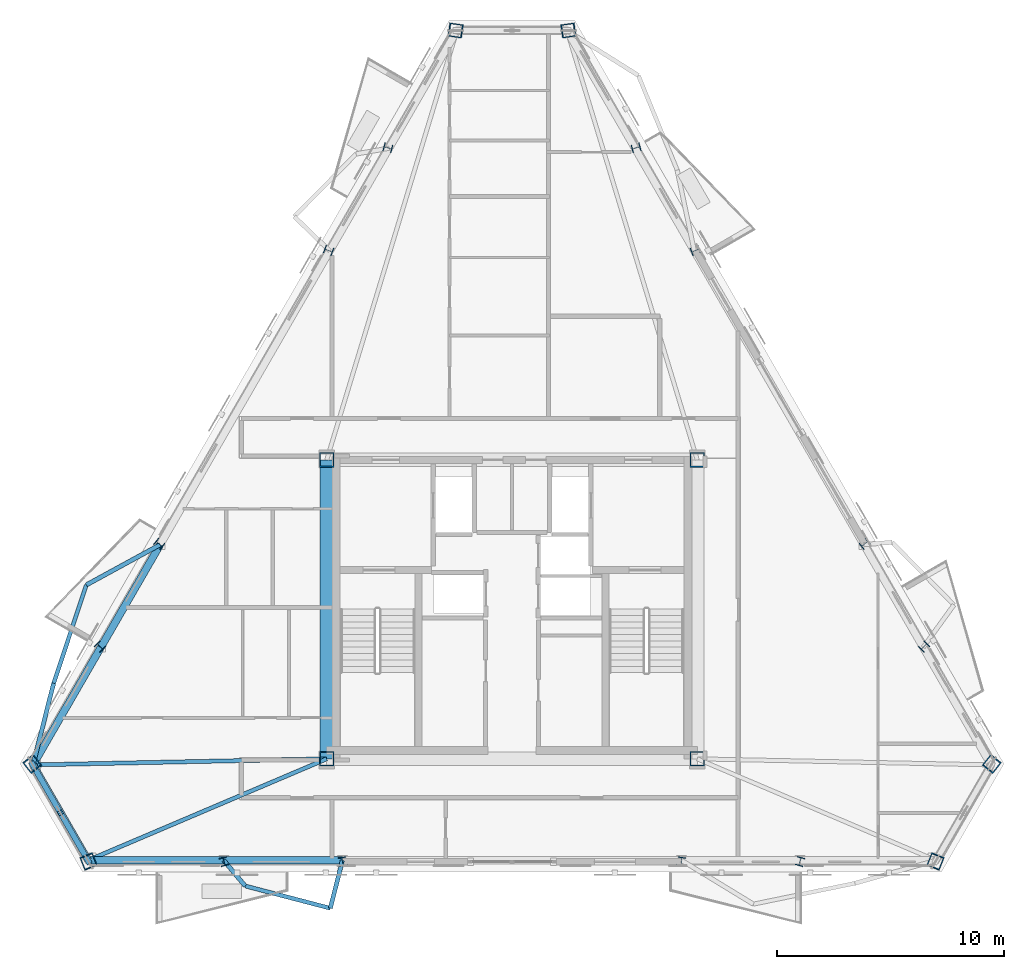
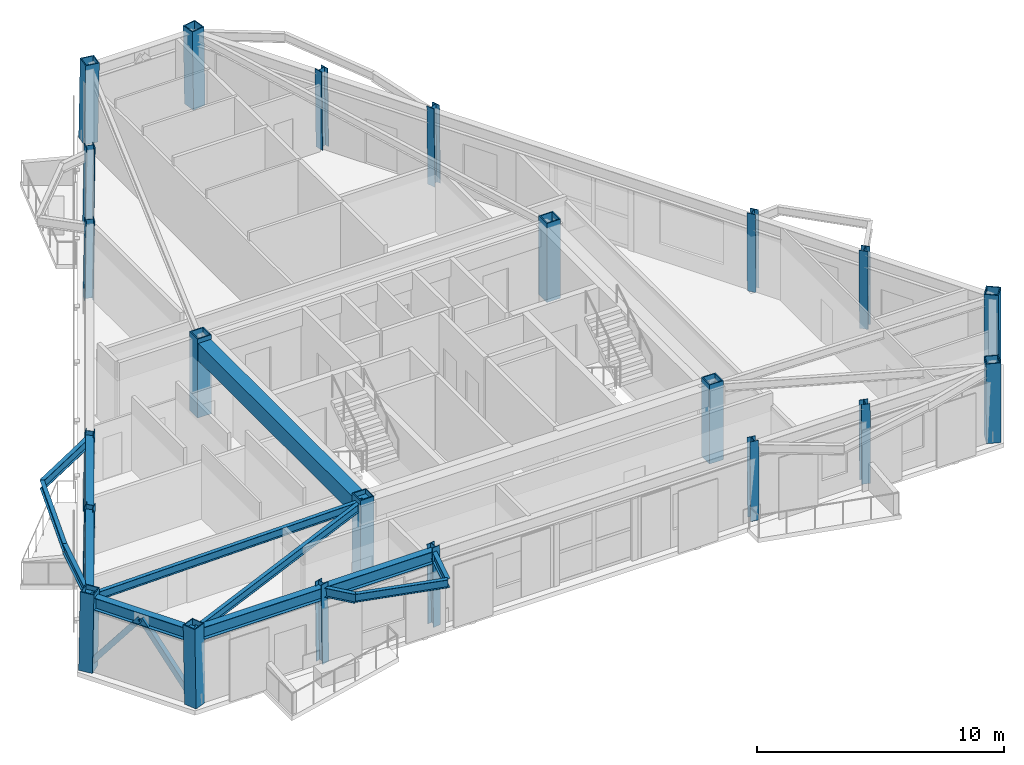
# One storey, part 1 of 15: 22 columns, 14 beams, 2 members.
"""IFC4 building model written with IfcOpenShell, lengths in metres."""

from ifc_helpers import new_model, si_unit, direction, frame, origin, origin_2d, place, context, subcontext, project, spatial, rectangle, hollow_rectangle, i_section, extrude, material, material_profile, profile_set, type_object, element, save


model = new_model("IFC4")

# Units and contexts
model_context = context("Model", 3, precision=1e-05, world=origin(), true_north=direction((0.0, 1.0)))
body_context = subcontext(model_context, "Body", "Model", "MODEL_VIEW")
ifc_project = project(units=[si_unit("LENGTHUNIT", "METRE"), si_unit("AREAUNIT", "SQUARE_METRE"), si_unit("VOLUMEUNIT", "CUBIC_METRE"), si_unit("PLANEANGLEUNIT", "RADIAN"), si_unit("MASSUNIT", "GRAM", prefix="KILO")], contexts=[model_context])

# Site, building, storey
site_placement = place(None, origin())
site = spatial("IfcSite", under=ifc_project, at=site_placement, CompositionType="ELEMENT")
building_placement = place(site_placement, origin())
building = spatial("IfcBuilding", under=site, at=building_placement, Name="Oramaril Tower", CompositionType="ELEMENT")
storey_placement = place(building_placement, frame((0.0, 0.0, 265.5)))
storey = spatial("IfcBuildingStorey", under=building, at=storey_placement, Name="L70", CompositionType="ELEMENT", Elevation=265.5)

# Columns
ifc_material_1 = material(Name="Steel ASTM A572 Gr 50", Category="steel")
ifc_material_profile_1 = material_profile(ifc_material_1, hollow_rectangle(XDim=0.64990234375, YDim=0.64990234375, WallThickness=0.050048828125, at=origin_2d()), Name="BOX650X650X50")
ifc_profile_set_1 = profile_set([ifc_material_profile_1], Name="Steel ASTM A572 Gr 50")
column_type_1 = type_object("IfcColumnType", Name="CT-CC5", PredefinedType="COLUMN", material=ifc_profile_set_1)
for number, where, z_axis, x_axis, name in (
    (1, (29.35009765625, 11.0, 0.0), (0.0, 0.0, 1.0), (1.0, 0.0, 0.0), "L70 Core Column CC-1"),
    (2, (45.64990234375, 11.0, 0.0), (0.0, 0.0, 1.0), (1.0, 0.0, 0.0), "L70 Core Column CC-2"),
    (3, (45.64990234375, 24.14990234375, 0.0), (0.0, 0.0, 1.0), (1.0, 0.0, 0.0), "L70 Core Column CC-3"),
    (4, (29.35009765625, 24.14990234375, 0.0), (0.0, 0.0, 1.0), (1.0, 0.0, 0.0), "L70 Core Column CC-4"),
):
    element("IfcColumn", number, at=place(storey_placement, frame(where, z_axis=z_axis, x_axis=x_axis)), inside=storey, type_object=column_type_1, Name=name, PredefinedType="COLUMN", context=body_context, shape_type="SweptSolid", body=[
        extrude(hollow_rectangle(XDim=0.64990234375, YDim=0.64990234375, WallThickness=0.050048828125, at=origin_2d()), origin(), (0.0, 0.0, 1.0), 3.89990234375),
    ])
ifc_material_2 = material(Name="Steel ASTM A572 Gr 50", Category="steel")
ifc_material_profile_2 = material_profile(ifc_material_2, hollow_rectangle(XDim=0.60009765625, YDim=0.60009765625, WallThickness=0.044921875, at=origin_2d()), Name="BOX600X600X45")
ifc_profile_set_2 = profile_set([ifc_material_profile_2], Name="Steel ASTM A572 Gr 50")
column_type_2 = type_object("IfcColumnType", Name="CT-TC5", PredefinedType="COLUMN", material=ifc_profile_set_2)
for number, where, z_axis, x_axis, name in (
    (5, (16.38818359375, 10.78369140625, 0.00439453125), (0.010288460929, -0.012986045197, 0.999862745682), (0.783815425507, 0.620993863687, 0.0), "L70 Tube Column TC-01"),
    (6, (18.8759765625, 6.474853515625, 0.00439453125), (-0.006147984154, 0.015369960385, 0.999862973916), (-0.928476690885, -0.371390676354, 0.0), "L70 Tube Column TC-02"),
    (7, (56.1240234375, 6.474853515625, 0.00439453125), (0.006147984154, 0.015369960385, 0.999862973916), (-0.928476690885, 0.371390676354, 0.0), "L70 Tube Column TC-03"),
    (8, (58.61181640625, 10.78369140625, 0.00439453125), (-0.010288460929, -0.012986045197, 0.999862745682), (0.783815425507, -0.620993863687, 0.0), "L70 Tube Column TC-04"),
    (9, (39.98779296875, 43.04150390625, 0.00439453125), (-0.016436432586, -0.00238391007, 0.999862070816), (0.143536305261, -0.989645052063, 0.0), "L70 Tube Column TC-05"),
    (10, (35.01220703125, 43.04150390625, 0.00439453125), (0.016436432586, -0.00238391007, 0.999862070816), (0.143536305261, 0.989645052063, 0.0), "L70 Tube Column TC-06"),
):
    element("IfcColumn", number, at=place(storey_placement, frame(where, z_axis=z_axis, x_axis=x_axis)), inside=storey, type_object=column_type_2, Name=name, PredefinedType="COLUMN", context=body_context, shape_type="SweptSolid", body=[
        extrude(hollow_rectangle(XDim=0.60009765625, YDim=0.60009765625, WallThickness=0.044921875, at=origin_2d()), origin(), (0.0, 0.0, 1.0), 3.8916015625),
    ])
ifc_material_3 = material(Name="Steel ASTM A572 Gr 50", Category="steel")
ifc_material_profile_3 = material_profile(ifc_material_3, i_section(OverallWidth=0.373046875, OverallDepth=0.373046875, WebThickness=0.016357421875, FlangeThickness=0.026123046875, at=origin_2d()), Name="W14X132")
ifc_profile_set_3 = profile_set([ifc_material_profile_3], Name="Steel ASTM A572 Gr 50")
column_type_3 = type_object("IfcColumnType", Name="CT-TF5", PredefinedType="COLUMN", material=ifc_profile_set_3)
for number, where, z_axis, x_axis, name in (
    (11, (24.835693359375, 6.474853515625, 0.00439453125), (-0.004203255964, 0.015370115091, 0.999873038041), (-0.964581880299, -0.263783616245, 0.0), "L70 Tube Column TC-07"),
    (12, (30.05029296875, 6.474853515625, 0.00439453125), (-0.002446685672, 0.015370204862, 0.999878877931), (-0.987566087596, -0.157204397617, 0.0), "L70 Tube Column TC-08"),
    (13, (44.94970703125, 6.474853515625, 0.00439453125), (0.002446685672, 0.015370204862, 0.999878877931), (-0.987566087596, 0.157204397617, 0.0), "L70 Tube Column TC-09"),
    (14, (50.164306640625, 6.474853515625, 0.00439453125), (0.004203255964, 0.015370115091, 0.999873038041), (-0.964581880299, 0.263783616245, 0.0), "L70 Tube Column TC-10"),
    (15, (55.6318359375, 15.94482421875, 0.00439453125), (-0.011229595904, -0.011292331077, 0.999873181676), (0.709073687079, -0.705134388817, 0.0), "L70 Tube Column TC-11"),
    (16, (53.024658203125, 20.4609375, 0.00439453125), (-0.012170682627, -0.009786734483, 0.999878039719), (0.626652594722, -0.779298739591, 0.0), "L70 Tube Column TC-12"),
    (17, (45.574951171875, 33.3642578125, 0.00439453125), (-0.014554637272, -0.005583459988, 0.999878486371), (0.358169919381, -0.933656419059, 0.0), "L70 Tube Column TC-13"),
    (18, (42.967529296875, 37.88037109375, 0.00439453125), (-0.015370119114, -0.004140521884, 0.999873299732), (0.260114807863, -0.965577695854, 0.0), "L70 Tube Column TC-14"),
    (19, (32.032470703125, 37.88037109375, 0.00439453125), (0.015370119114, -0.004140521884, 0.999873299732), (0.260114807863, 0.965577695854, 0.0), "L70 Tube Column TC-15"),
    (20, (29.425048828125, 33.3642578125, 0.00439453125), (0.014554637272, -0.005583459988, 0.999878486371), (0.358169919381, 0.933656419059, 0.0), "L70 Tube Column TC-16"),
    (21, (21.975341796875, 20.4609375, 0.00439453125), (0.012170682627, -0.009786734483, 0.999878039719), (0.626652594722, 0.779298739591, 0.0), "L70 Tube Column TC-17"),
    (22, (19.3681640625, 15.94482421875, 0.00439453125), (0.011229595904, -0.011292331077, 0.999873181676), (0.709073687079, 0.705134388817, 0.0), "L70 Tube Column TC-18"),
):
    element("IfcColumn", number, at=place(storey_placement, frame(where, z_axis=z_axis, x_axis=x_axis)), inside=storey, type_object=column_type_3, Name=name, PredefinedType="COLUMN", context=body_context, shape_type="SweptSolid", body=[
        extrude(i_section(OverallWidth=0.373046875, OverallDepth=0.373046875, WebThickness=0.016357421875, FlangeThickness=0.026123046875, at=origin_2d()), origin(), (0.0, 0.0, 1.0), 3.8916015625),
    ])

# Beams
ifc_material_4 = material(Name="Steel ASTM A572 Gr 50", Category="steel")
ifc_material_profile_4 = material_profile(ifc_material_4, i_section(OverallWidth=0.19091796875, OverallDepth=0.45703125, WebThickness=0.009033203125, FlangeThickness=0.014404296875, at=origin_2d()), Name="W18X50")
ifc_profile_set_4 = profile_set([ifc_material_profile_4], Name="Steel ASTM A572 Gr 50")
beam_type_1 = type_object("IfcBeamType", Name="BT-BB1", PredefinedType="BEAM", material=ifc_profile_set_4)
beam_1_placement = place(storey_placement, frame((24.8193359375, 6.53466796875, 3.451416015625), z_axis=(0.642238304801, -0.766505029238, 0.0), x_axis=(0.766505029238, 0.642238304801, 0.0)))
element("IfcBeam", 23, at=beam_1_placement, inside=storey, type_object=beam_type_1, Name="L70 Balcony Column-Framed Cantilever 01.1", PredefinedType="BEAM", context=body_context, shape_type="SweptSolid", body=[
    extrude(i_section(OverallWidth=0.19091796875, OverallDepth=0.45703125, WebThickness=0.009033203125, FlangeThickness=0.014404296875, at=origin_2d()), origin(), (0.0, 0.0, 1.0), 1.471435546875),
])
beam_2_placement = place(storey_placement, frame((30.040771484375, 6.53466796875, 3.451416015625), z_axis=(-0.244807321253, -0.969571748485, 0.0), x_axis=(0.969571748485, -0.244807321253, 0.0)))
element("IfcBeam", 24, at=beam_2_placement, inside=storey, type_object=beam_type_1, Name="L70 Balcony Column-Framed Cantilever 01.2", PredefinedType="BEAM", context=body_context, shape_type="SweptSolid", body=[
    extrude(i_section(OverallWidth=0.19091796875, OverallDepth=0.45703125, WebThickness=0.009033203125, FlangeThickness=0.014404296875, at=origin_2d()), origin(), (0.0, 0.0, 1.0), 2.174072265625),
])
beam_3_placement = place(storey_placement, frame((22.022705078125, 20.4228515625, 3.451416015625), z_axis=(-0.877761893143, -0.479097128927, 0.0), x_axis=(0.479097128927, -0.877761893143, 0.0)))
element("IfcBeam", 25, at=beam_3_placement, inside=storey, type_object=beam_type_1, Name="L70 Balcony Column-Framed Cantilever 06.1", PredefinedType="BEAM", context=body_context, shape_type="SweptSolid", body=[
    extrude(i_section(OverallWidth=0.19091796875, OverallDepth=0.45703125, WebThickness=0.009033203125, FlangeThickness=0.014404296875, at=origin_2d()), origin(), (0.0, 0.0, 1.0), 3.7001953125),
])
beam_4_placement = place(storey_placement, frame((16.42822265625, 10.733154296875, 3.451416015625), z_axis=(0.245329243552, 0.969439818791, 0.0), x_axis=(-0.969439818791, 0.245329243552, 0.0)))
element("IfcBeam", 26, at=beam_4_placement, inside=storey, type_object=beam_type_1, Name="L70 Balcony Column-Framed Cantilever 06.2", PredefinedType="BEAM", context=body_context, shape_type="SweptSolid", body=[
    extrude(i_section(OverallWidth=0.19091796875, OverallDepth=0.45703125, WebThickness=0.009033203125, FlangeThickness=0.014404296875, at=origin_2d()), origin(), (0.0, 0.0, 1.0), 3.699951171875),
])
ifc_material_5 = material(Name="Concrete C50/60", Category="concrete")
ifc_material_profile_5 = material_profile(ifc_material_5, rectangle(XDim=0.60009765625, YDim=0.85009765625, at=origin_2d()), Name="CB600X850")
ifc_profile_set_5 = profile_set([ifc_material_profile_5], Name="Concrete C50/60")
beam_type_2 = type_object("IfcBeamType", Name="BT-CB2", PredefinedType="BEAM", material=ifc_profile_set_5)
beam_5_placement = place(storey_placement, frame((29.35009765625, 24.14990234375, 3.2548828125), z_axis=(0.0, -1.0, 0.0), x_axis=(1.0, 0.0, 0.0)))
element("IfcBeam", 27, at=beam_5_placement, inside=storey, type_object=beam_type_2, Name="L70 Core Header Beam CB-4", PredefinedType="BEAM", context=body_context, shape_type="SweptSolid", body=[
    extrude(rectangle(XDim=0.60009765625, YDim=0.85009765625, at=origin_2d()), origin(), (0.0, 0.0, 1.0), 13.14990234375),
])
ifc_material_6 = material(Name="Steel ASTM A572 Gr 50", Category="steel")
ifc_material_profile_6 = material_profile(ifc_material_6, i_section(OverallWidth=0.177978515625, OverallDepth=0.404052734375, WebThickness=0.007568359375, FlangeThickness=0.010986328125, at=origin_2d()), Name="W16X36")
ifc_profile_set_6 = profile_set([ifc_material_profile_6], Name="Steel ASTM A572 Gr 50")
beam_type_3 = type_object("IfcBeamType", Name="BT-SB1", PredefinedType="BEAM", material=ifc_profile_set_6)
beam_6_placement = place(storey_placement, frame((29.35009765625, 11.0, 3.47802734375), z_axis=(-0.999786842566, -0.020646293435, 0.0), x_axis=(0.020646293435, -0.999786842566, 0.0)))
element("IfcBeam", 28, at=beam_6_placement, inside=storey, type_object=beam_type_3, Name="L70 Radial Primary Beam RB-01", PredefinedType="BEAM", context=body_context, shape_type="SweptSolid", body=[
    extrude(i_section(OverallWidth=0.177978515625, OverallDepth=0.404052734375, WebThickness=0.007568359375, FlangeThickness=0.010986328125, at=origin_2d()), origin(), (0.0, 0.0, 1.0), 12.924560546875),
])
beam_7_placement = place(storey_placement, frame((29.35009765625, 11.0, 3.47802734375), z_axis=(-0.920215323168, -0.391412517692, 0.0), x_axis=(0.391412517692, -0.920215323168, 0.0)))
element("IfcBeam", 29, at=beam_7_placement, inside=storey, type_object=beam_type_3, Name="L70 Radial Primary Beam RB-02", PredefinedType="BEAM", context=body_context, shape_type="SweptSolid", body=[
    extrude(i_section(OverallWidth=0.177978515625, OverallDepth=0.404052734375, WebThickness=0.007568359375, FlangeThickness=0.010986328125, at=origin_2d()), origin(), (0.0, 0.0, 1.0), 11.408203125),
])
beam_8_placement = place(storey_placement, frame((25.764404296875, 5.40673828125, 3.47802734375), z_axis=(0.967411967632, -0.253207592467, 0.0), x_axis=(0.253207592467, 0.967411967632, 0.0)))
element("IfcBeam", 30, at=beam_8_placement, inside=storey, type_object=beam_type_3, Name="L70 Balcony Edge Tie Beam 01", PredefinedType="BEAM", context=body_context, shape_type="SweptSolid", body=[
    extrude(i_section(OverallWidth=0.177978515625, OverallDepth=0.404052734375, WebThickness=0.007568359375, FlangeThickness=0.010986328125, at=origin_2d()), origin(), (0.0, 0.0, 1.0), 3.870361328125),
])
beam_9_placement = place(storey_placement, frame((18.77490234375, 18.650146484375, 3.47802734375), z_axis=(-0.315360846491, -0.948971831247, 0.0), x_axis=(0.948971831247, -0.315360846491, 0.0)))
element("IfcBeam", 31, at=beam_9_placement, inside=storey, type_object=beam_type_3, Name="L70 Balcony Edge Tie Beam 06", PredefinedType="BEAM", context=body_context, shape_type="SweptSolid", body=[
    extrude(i_section(OverallWidth=0.177978515625, OverallDepth=0.404052734375, WebThickness=0.007568359375, FlangeThickness=0.010986328125, at=origin_2d()), origin(), (0.0, 0.0, 1.0), 4.56298828125),
])
ifc_material_7 = material(Name="Steel ASTM A572 Gr 50", Category="steel")
ifc_material_profile_7 = material_profile(ifc_material_7, i_section(OverallWidth=0.324951171875, OverallDepth=0.612060546875, WebThickness=0.0126953125, FlangeThickness=0.01904296875, at=origin_2d()), Name="W24X104")
ifc_profile_set_7 = profile_set([ifc_material_profile_7], Name="Steel ASTM A572 Gr 50")
beam_type_4 = type_object("IfcBeamType", Name="BT-SP5", PredefinedType="SPANDREL", material=ifc_profile_set_7)
beam_10_placement = place(storey_placement, frame((16.42822265625, 10.733154296875, 3.3740234375), z_axis=(0.499973841066, -0.866040506125, 0.0), x_axis=(0.866040506125, 0.499973841066, 0.0)))
element("IfcBeam", 32, at=beam_10_placement, inside=storey, type_object=beam_type_4, Name="L70 Perimeter Spandrel 01", PredefinedType="SPANDREL", context=body_context, shape_type="SweptSolid", body=[
    extrude(i_section(OverallWidth=0.324951171875, OverallDepth=0.612060546875, WebThickness=0.0126953125, FlangeThickness=0.01904296875, at=origin_2d()), origin(), (0.0, 0.0, 1.0), 4.847900390625),
])
beam_11_placement = place(storey_placement, frame((18.85205078125, 6.53466796875, 3.3740234375), z_axis=(1.0, 0.0, 0.0), x_axis=(0.0, 1.0, 0.0)))
element("IfcBeam", 33, at=beam_11_placement, inside=storey, type_object=beam_type_4, Name="L70 Perimeter Spandrel 02", PredefinedType="SPANDREL", context=body_context, shape_type="SweptSolid", body=[
    extrude(i_section(OverallWidth=0.324951171875, OverallDepth=0.612060546875, WebThickness=0.0126953125, FlangeThickness=0.01904296875, at=origin_2d()), origin(), (0.0, 0.0, 1.0), 5.96728515625),
])
beam_12_placement = place(storey_placement, frame((24.8193359375, 6.53466796875, 3.3740234375), z_axis=(1.0, 0.0, 0.0), x_axis=(0.0, 1.0, 0.0)))
element("IfcBeam", 34, at=beam_12_placement, inside=storey, type_object=beam_type_4, Name="L70 Perimeter Spandrel 03", PredefinedType="SPANDREL", context=body_context, shape_type="SweptSolid", body=[
    extrude(i_section(OverallWidth=0.324951171875, OverallDepth=0.612060546875, WebThickness=0.0126953125, FlangeThickness=0.01904296875, at=origin_2d()), origin(), (0.0, 0.0, 1.0), 5.221435546875),
])
beam_13_placement = place(storey_placement, frame((22.022705078125, 20.4228515625, 3.3740234375), z_axis=(-0.500011162334, -0.866018959112, 0.0), x_axis=(0.866018959112, -0.500011162334, 0.0)))
element("IfcBeam", 35, at=beam_13_placement, inside=storey, type_object=beam_type_4, Name="L70 Perimeter Spandrel 17", PredefinedType="SPANDREL", context=body_context, shape_type="SweptSolid", body=[
    extrude(i_section(OverallWidth=0.324951171875, OverallDepth=0.612060546875, WebThickness=0.0126953125, FlangeThickness=0.01904296875, at=origin_2d()), origin(), (0.0, 0.0, 1.0), 5.2216796875),
])
beam_14_placement = place(storey_placement, frame((19.411865234375, 15.90087890625, 3.3740234375), z_axis=(-0.500006961011, -0.866021384806, 0.0), x_axis=(0.866021384806, -0.500006961011, 0.0)))
element("IfcBeam", 36, at=beam_14_placement, inside=storey, type_object=beam_type_4, Name="L70 Perimeter Spandrel 18", PredefinedType="SPANDREL", context=body_context, shape_type="SweptSolid", body=[
    extrude(i_section(OverallWidth=0.324951171875, OverallDepth=0.612060546875, WebThickness=0.0126953125, FlangeThickness=0.01904296875, at=origin_2d()), origin(), (0.0, 0.0, 1.0), 5.96728515625),
])

# Members
ifc_material_8 = material(Name="Steel ASTM A572 Gr 50", Category="steel")
ifc_material_profile_8 = material_profile(ifc_material_8, hollow_rectangle(XDim=0.25, YDim=0.25, WallThickness=0.011962890625, at=origin_2d()), Name="HSS250X250X12")
ifc_profile_set_8 = profile_set([ifc_material_profile_8], Name="Steel ASTM A572 Gr 50")
member_type = type_object("IfcMemberType", Name="MT-KB3", PredefinedType="BRACE", material=ifc_profile_set_8)
for number, where, z_axis, x_axis, name in (
    (37, (16.38818359375, 10.78369140625, 0.179931640625), (0.307237524588, -0.532163131401, 0.788928073441), (0.866030338286, 0.499991453095, 0.0), "L70 Perimeter Chevron Brace KB-1A"),
    (38, (18.8759765625, 6.474853515625, 0.179931640625), (-0.307247383872, 0.532119904866, 0.788953390226), (-0.86600580256, -0.500033948781, 0.0), "L70 Perimeter Chevron Brace KB-1B"),
):
    element("IfcMember", number, at=place(storey_placement, frame(where, z_axis=z_axis, x_axis=x_axis)), inside=storey, type_object=member_type, Name=name, PredefinedType="BRACE", context=body_context, shape_type="SweptSolid", body=[
        extrude(hollow_rectangle(XDim=0.25, YDim=0.25, WallThickness=0.011962890625, at=origin_2d()), origin(), (0.0, 0.0, 1.0), 4.048583984375),
    ])

save(model, "model.ifc")
